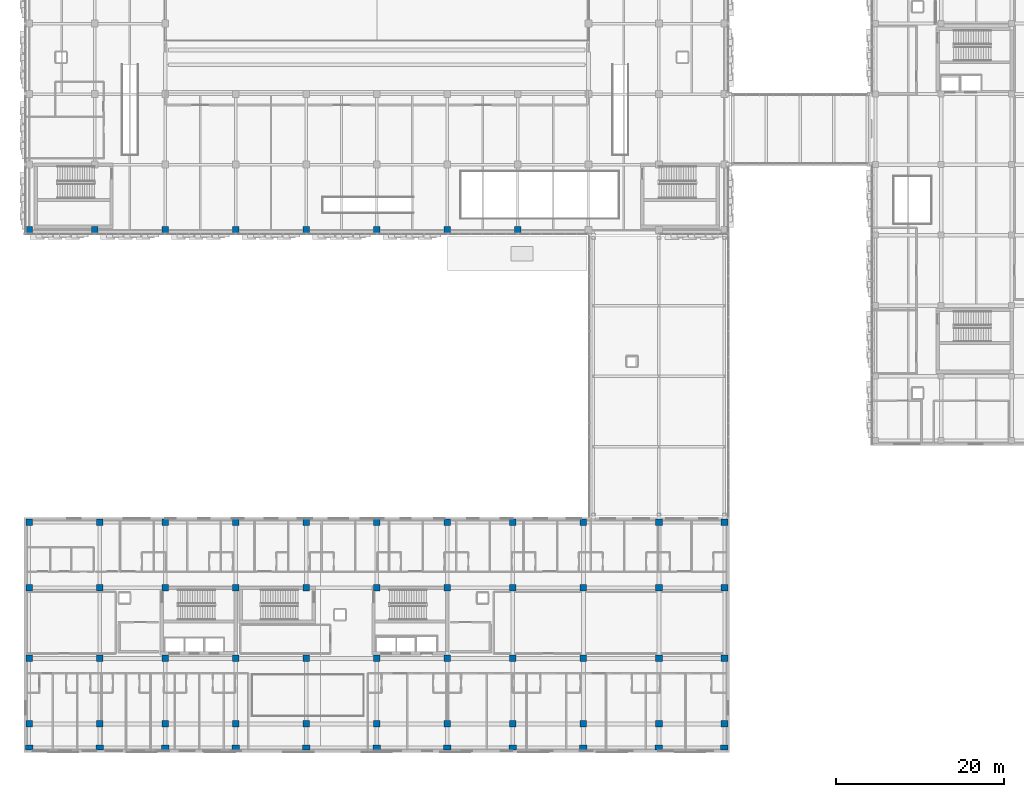
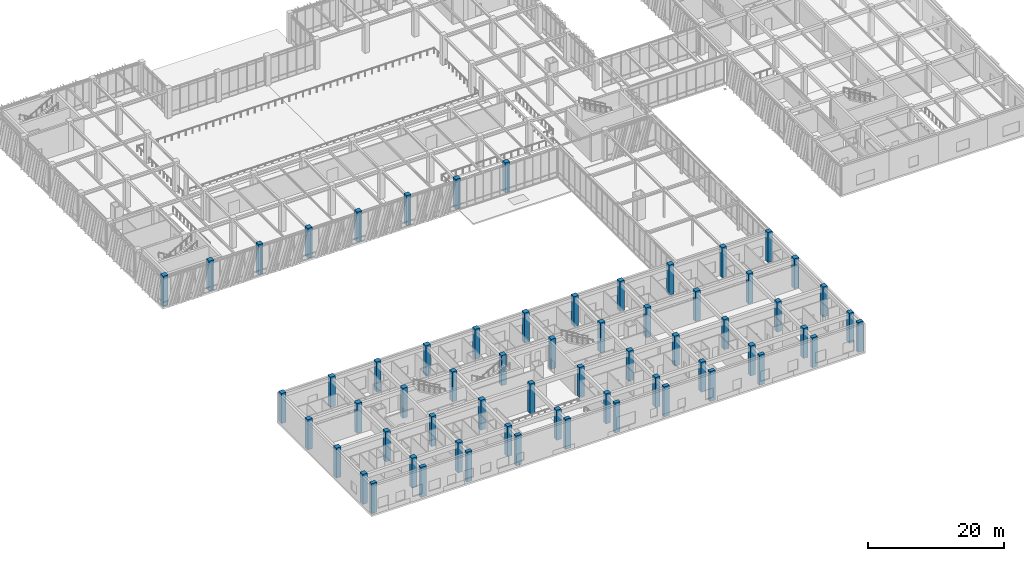
# One storey, part 1 of 139: 63 columns.
"""IFC4 building model written with IfcOpenShell, lengths in metres."""

from ifc_helpers import new_model, si_unit, direction, frame, origin, origin_2d, place, context, subcontext, project, spatial, rectangle, extrude, material, material_profile, profile_set, type_object, element, save


model = new_model("IFC4")

# Units and contexts
model_context = context("Model", 3, precision=1e-05, world=origin(), true_north=direction((0.0, 1.0)))
body_context = subcontext(model_context, "Body", "Model", "MODEL_VIEW")
ifc_project = project(units=[si_unit("LENGTHUNIT", "METRE"), si_unit("AREAUNIT", "SQUARE_METRE"), si_unit("VOLUMEUNIT", "CUBIC_METRE"), si_unit("PLANEANGLEUNIT", "RADIAN"), si_unit("MASSUNIT", "GRAM", prefix="KILO")], contexts=[model_context])

# Site, building, storey
site_placement = place(None, origin())
site = spatial("IfcSite", under=ifc_project, at=site_placement, CompositionType="ELEMENT")
building_placement = place(site_placement, origin())
building = spatial("IfcBuilding", under=site, at=building_placement, Name="Zayran Congress Hotel", CompositionType="ELEMENT")
storey_placement = place(building_placement, frame((0.0, 0.0, 5.39990234375)))
storey = spatial("IfcBuildingStorey", under=building, at=storey_placement, Name="L01", CompositionType="ELEMENT", Elevation=5.39990234375)

# Columns
ifc_material = material(Name="Concrete C40/50", Category="concrete")
ifc_material_profile_1 = material_profile(ifc_material, rectangle(XDim=0.800048828125, YDim=0.800048828125, at=origin_2d()), Name="RC 800x800")
ifc_profile_set_1 = profile_set([ifc_material_profile_1], Name="Concrete C40/50")
column_type_1 = type_object("IfcColumnType", Name="TP-CL-02", PredefinedType="COLUMN", material=ifc_profile_set_1)
for number, where, z_axis, x_axis, name in (
    (1, (9.0, 68.199951171875, 0.0), (0.0, 0.0, 1.0), (1.0, 0.0, 0.0), "COL-V1-L01-0320"),
    (2, (16.800048828125, 68.199951171875, 0.0), (0.0, 0.0, 1.0), (1.0, 0.0, 0.0), "COL-V1-L01-0327"),
    (3, (25.199951171875, 68.199951171875, 0.0), (0.0, 0.0, 1.0), (1.0, 0.0, 0.0), "COL-V1-L01-0334"),
    (4, (33.60009765625, 68.199951171875, 0.0), (0.0, 0.0, 1.0), (1.0, 0.0, 0.0), "COL-V1-L01-0341"),
    (5, (42.0, 68.199951171875, 0.0), (0.0, 0.0, 1.0), (1.0, 0.0, 0.0), "COL-V1-L01-0346"),
    (6, (50.39990234375, 68.199951171875, 0.0), (0.0, 0.0, 1.0), (1.0, 0.0, 0.0), "COL-V1-L01-0351"),
    (7, (58.800048828125, 68.199951171875, 0.0), (0.0, 0.0, 1.0), (1.0, 0.0, 0.0), "COL-V1-L01-0356"),
    (8, (67.199951171875, 68.199951171875, 0.0), (0.0, 0.0, 1.0), (1.0, 0.0, 0.0), "COL-V1-L01-0361"),
    (9, (9.0, 9.39990234375, 0.0), (0.0, 0.0, 1.0), (1.0, 0.0, 0.0), "COL-V5-L01-0933"),
    (10, (9.0, 17.199951171875, 0.0), (0.0, 0.0, 1.0), (1.0, 0.0, 0.0), "COL-V5-L01-0934"),
    (11, (9.0, 25.60009765625, 0.0), (0.0, 0.0, 1.0), (1.0, 0.0, 0.0), "COL-V5-L01-0935"),
    (12, (9.0, 33.39990234375, 0.0), (0.0, 0.0, 1.0), (1.0, 0.0, 0.0), "COL-V5-L01-0936"),
    (13, (17.39990234375, 9.39990234375, 0.0), (0.0, 0.0, 1.0), (1.0, 0.0, 0.0), "COL-V5-L01-0938"),
    (14, (17.39990234375, 17.199951171875, 0.0), (0.0, 0.0, 1.0), (1.0, 0.0, 0.0), "COL-V5-L01-0939"),
    (15, (17.39990234375, 25.60009765625, 0.0), (0.0, 0.0, 1.0), (1.0, 0.0, 0.0), "COL-V5-L01-0940"),
    (16, (17.39990234375, 33.39990234375, 0.0), (0.0, 0.0, 1.0), (1.0, 0.0, 0.0), "COL-V5-L01-0941"),
    (17, (25.199951171875, 9.39990234375, 0.0), (0.0, 0.0, 1.0), (1.0, 0.0, 0.0), "COL-V5-L01-0943"),
    (18, (25.199951171875, 17.199951171875, 0.0), (0.0, 0.0, 1.0), (1.0, 0.0, 0.0), "COL-V5-L01-0944"),
    (19, (25.199951171875, 25.60009765625, 0.0), (0.0, 0.0, 1.0), (1.0, 0.0, 0.0), "COL-V5-L01-0945"),
    (20, (25.199951171875, 33.39990234375, 0.0), (0.0, 0.0, 1.0), (1.0, 0.0, 0.0), "COL-V5-L01-0946"),
    (21, (33.60009765625, 9.39990234375, 0.0), (0.0, 0.0, 1.0), (1.0, 0.0, 0.0), "COL-V5-L01-0948"),
    (22, (33.60009765625, 17.199951171875, 0.0), (0.0, 0.0, 1.0), (1.0, 0.0, 0.0), "COL-V5-L01-0949"),
    (23, (33.60009765625, 25.60009765625, 0.0), (0.0, 0.0, 1.0), (1.0, 0.0, 0.0), "COL-V5-L01-0950"),
    (24, (33.60009765625, 33.39990234375, 0.0), (0.0, 0.0, 1.0), (1.0, 0.0, 0.0), "COL-V5-L01-0951"),
    (25, (42.0, 9.39990234375, 0.0), (0.0, 0.0, 1.0), (1.0, 0.0, 0.0), "COL-V5-L01-0953"),
    (26, (42.0, 17.199951171875, 0.0), (0.0, 0.0, 1.0), (1.0, 0.0, 0.0), "COL-V5-L01-0954"),
    (27, (42.0, 25.60009765625, 0.0), (0.0, 0.0, 1.0), (1.0, 0.0, 0.0), "COL-V5-L01-0955"),
    (28, (42.0, 33.39990234375, 0.0), (0.0, 0.0, 1.0), (1.0, 0.0, 0.0), "COL-V5-L01-0956"),
    (29, (50.39990234375, 9.39990234375, 0.0), (0.0, 0.0, 1.0), (1.0, 0.0, 0.0), "COL-V5-L01-0958"),
    (30, (50.39990234375, 17.199951171875, 0.0), (0.0, 0.0, 1.0), (1.0, 0.0, 0.0), "COL-V5-L01-0959"),
    (31, (50.39990234375, 25.60009765625, 0.0), (0.0, 0.0, 1.0), (1.0, 0.0, 0.0), "COL-V5-L01-0960"),
    (32, (50.39990234375, 33.39990234375, 0.0), (0.0, 0.0, 1.0), (1.0, 0.0, 0.0), "COL-V5-L01-0961"),
    (33, (58.800048828125, 9.39990234375, 0.0), (0.0, 0.0, 1.0), (1.0, 0.0, 0.0), "COL-V5-L01-0963"),
    (34, (58.800048828125, 17.199951171875, 0.0), (0.0, 0.0, 1.0), (1.0, 0.0, 0.0), "COL-V5-L01-0964"),
    (35, (58.800048828125, 25.60009765625, 0.0), (0.0, 0.0, 1.0), (1.0, 0.0, 0.0), "COL-V5-L01-0965"),
    (36, (58.800048828125, 33.39990234375, 0.0), (0.0, 0.0, 1.0), (1.0, 0.0, 0.0), "COL-V5-L01-0966"),
    (37, (66.60009765625, 9.39990234375, 0.0), (0.0, 0.0, 1.0), (1.0, 0.0, 0.0), "COL-V5-L01-0968"),
    (38, (66.60009765625, 17.199951171875, 0.0), (0.0, 0.0, 1.0), (1.0, 0.0, 0.0), "COL-V5-L01-0969"),
    (39, (66.60009765625, 25.60009765625, 0.0), (0.0, 0.0, 1.0), (1.0, 0.0, 0.0), "COL-V5-L01-0970"),
    (40, (66.60009765625, 33.39990234375, 0.0), (0.0, 0.0, 1.0), (1.0, 0.0, 0.0), "COL-V5-L01-0971"),
    (41, (75.0, 9.39990234375, 0.0), (0.0, 0.0, 1.0), (1.0, 0.0, 0.0), "COL-V5-L01-0973"),
    (42, (75.0, 17.199951171875, 0.0), (0.0, 0.0, 1.0), (1.0, 0.0, 0.0), "COL-V5-L01-0974"),
    (43, (75.0, 25.60009765625, 0.0), (0.0, 0.0, 1.0), (1.0, 0.0, 0.0), "COL-V5-L01-0975"),
    (44, (75.0, 33.39990234375, 0.0), (0.0, 0.0, 1.0), (1.0, 0.0, 0.0), "COL-V5-L01-0976"),
    (45, (84.0, 9.39990234375, 0.0), (0.0, 0.0, 1.0), (1.0, 0.0, 0.0), "COL-V5-L01-0978"),
    (46, (84.0, 17.199951171875, 0.0), (0.0, 0.0, 1.0), (1.0, 0.0, 0.0), "COL-V5-L01-0979"),
    (47, (84.0, 25.60009765625, 0.0), (0.0, 0.0, 1.0), (1.0, 0.0, 0.0), "COL-V5-L01-0980"),
    (48, (84.0, 33.39990234375, 0.0), (0.0, 0.0, 1.0), (1.0, 0.0, 0.0), "COL-V5-L01-0981"),
    (49, (91.800048828125, 9.39990234375, 0.0), (0.0, 0.0, 1.0), (1.0, 0.0, 0.0), "COL-V5-L01-0983"),
    (50, (91.800048828125, 17.199951171875, 0.0), (0.0, 0.0, 1.0), (1.0, 0.0, 0.0), "COL-V5-L01-0984"),
    (51, (91.800048828125, 25.60009765625, 0.0), (0.0, 0.0, 1.0), (1.0, 0.0, 0.0), "COL-V5-L01-0985"),
    (52, (91.800048828125, 33.39990234375, 0.0), (0.0, 0.0, 1.0), (1.0, 0.0, 0.0), "COL-V5-L01-0986"),
):
    element("IfcColumn", number, at=place(storey_placement, frame(where, z_axis=z_axis, x_axis=x_axis)), inside=storey, type_object=column_type_1, Name=name, PredefinedType="COLUMN", context=body_context, shape_type="SweptSolid", body=[
        extrude(rectangle(XDim=0.800048828125, YDim=0.800048828125, at=origin_2d()), origin(), (0.0, 0.0, 1.0), 5.400146484375),
    ])
ifc_material_profile_2 = material_profile(ifc_material, rectangle(XDim=0.60009765625, YDim=0.89990234375, at=origin_2d()), Name="RC 900x600")
ifc_profile_set_2 = profile_set([ifc_material_profile_2], Name="Concrete C40/50")
column_type_2 = type_object("IfcColumnType", Name="TP-CL-05", PredefinedType="COLUMN", material=ifc_profile_set_2)
for number, where, z_axis, x_axis, name in (
    (53, (9.0, 6.60009765625, 0.0), (0.0, 0.0, 1.0), (0.0, 1.0, 0.0), "COL-V5-L01-0932"),
    (54, (17.39990234375, 6.60009765625, 0.0), (0.0, 0.0, 1.0), (0.0, 1.0, 0.0), "COL-V5-L01-0937"),
    (55, (25.199951171875, 6.60009765625, 0.0), (0.0, 0.0, 1.0), (0.0, 1.0, 0.0), "COL-V5-L01-0942"),
    (56, (33.60009765625, 6.60009765625, 0.0), (0.0, 0.0, 1.0), (0.0, 1.0, 0.0), "COL-V5-L01-0947"),
    (57, (42.0, 6.60009765625, 0.0), (0.0, 0.0, 1.0), (0.0, 1.0, 0.0), "COL-V5-L01-0952"),
    (58, (50.39990234375, 6.60009765625, 0.0), (0.0, 0.0, 1.0), (0.0, 1.0, 0.0), "COL-V5-L01-0957"),
    (59, (58.800048828125, 6.60009765625, 0.0), (0.0, 0.0, 1.0), (0.0, 1.0, 0.0), "COL-V5-L01-0962"),
    (60, (66.60009765625, 6.60009765625, 0.0), (0.0, 0.0, 1.0), (0.0, 1.0, 0.0), "COL-V5-L01-0967"),
    (61, (75.0, 6.60009765625, 0.0), (0.0, 0.0, 1.0), (0.0, 1.0, 0.0), "COL-V5-L01-0972"),
    (62, (84.0, 6.60009765625, 0.0), (0.0, 0.0, 1.0), (0.0, 1.0, 0.0), "COL-V5-L01-0977"),
    (63, (91.800048828125, 6.60009765625, 0.0), (0.0, 0.0, 1.0), (0.0, 1.0, 0.0), "COL-V5-L01-0982"),
):
    element("IfcColumn", number, at=place(storey_placement, frame(where, z_axis=z_axis, x_axis=x_axis)), inside=storey, type_object=column_type_2, Name=name, PredefinedType="COLUMN", context=body_context, shape_type="SweptSolid", body=[
        extrude(rectangle(XDim=0.60009765625, YDim=0.89990234375, at=origin_2d()), origin(), (0.0, 0.0, 1.0), 5.400146484375),
    ])

save(model, "model.ifc")
